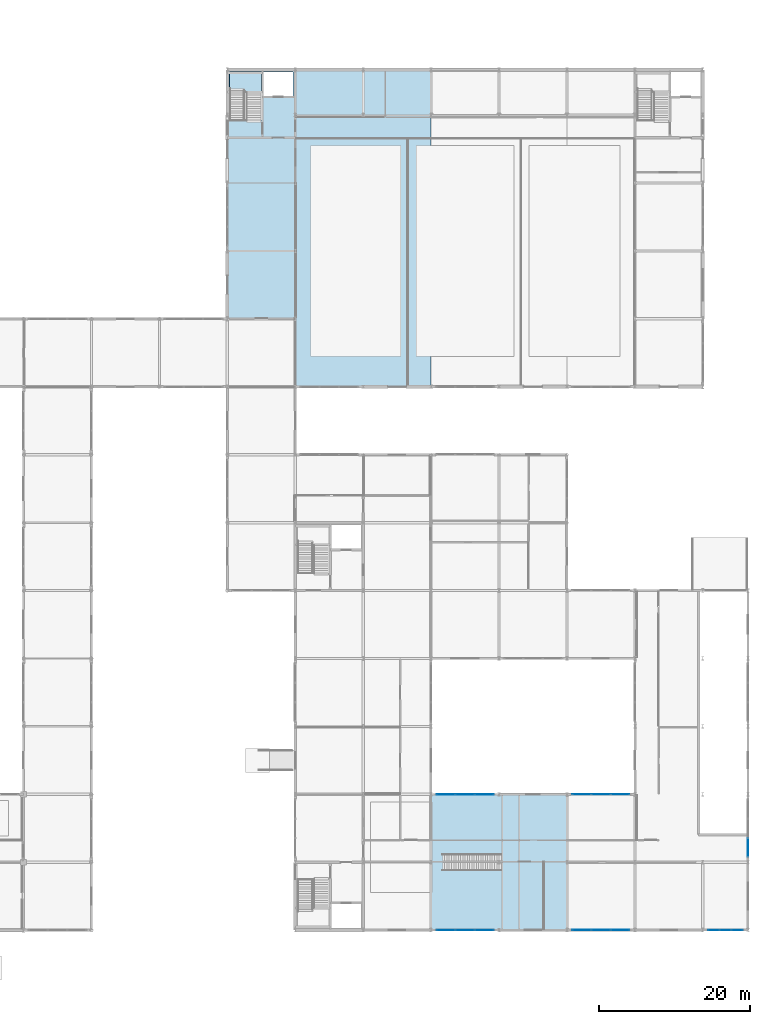
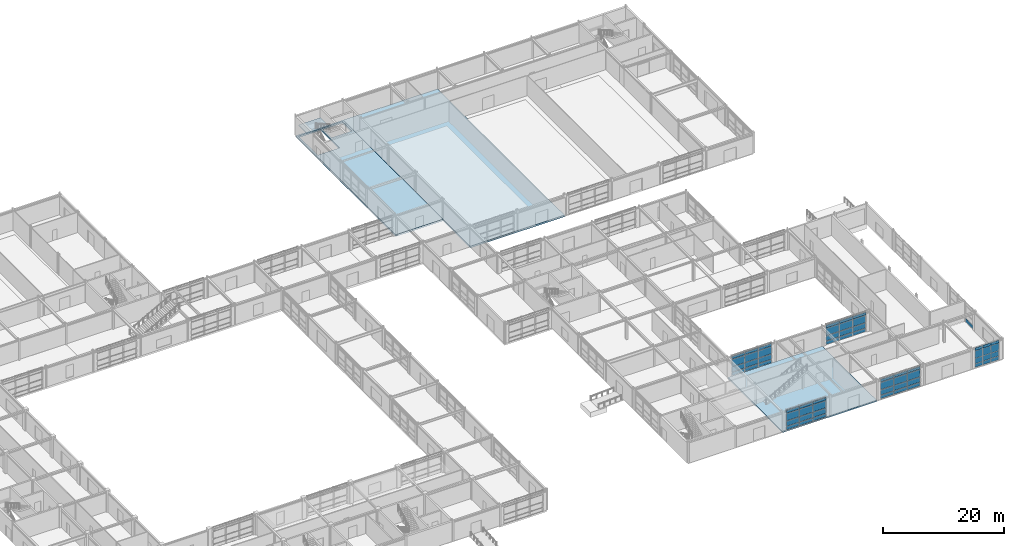
# One storey, part 51 of 72: 61 plates, 4 slabs, 6 elements without a shape of their own.
"""IFC4 building model written with IfcOpenShell, lengths in metres."""

from ifc_helpers import new_model, si_unit, direction, frame, origin, origin_2d, place, context, subcontext, project, spatial, polyline, rectangle, outline, extrude, material, layer, layer_set, type_object, element, aggregate, save


model = new_model("IFC4")

# Units and contexts
model_context = context("Model", 3, precision=1e-05, world=origin(), true_north=direction((0.0, 1.0)))
body_context = subcontext(model_context, "Body", "Model", "MODEL_VIEW")
ifc_project = project(units=[si_unit("LENGTHUNIT", "METRE"), si_unit("AREAUNIT", "SQUARE_METRE"), si_unit("VOLUMEUNIT", "CUBIC_METRE"), si_unit("PLANEANGLEUNIT", "RADIAN"), si_unit("MASSUNIT", "GRAM", prefix="KILO")], contexts=[model_context])

# Site, building, storey
site_placement = place(None, origin())
site = spatial("IfcSite", under=ifc_project, at=site_placement, CompositionType="ELEMENT")
building_placement = place(site_placement, origin())
building = spatial("IfcBuilding", under=site, at=building_placement, Name="Palais des Congres Ocreval", CompositionType="ELEMENT")
storey_placement = place(building_placement, origin())
storey = spatial("IfcBuildingStorey", under=building, at=storey_placement, Name="L00", CompositionType="ELEMENT", Elevation=0.0)

# Curtain wall, plates
ifc_material_1 = material(Name="Anodized bronze aluminium and low-E glass", Category="glass")
curtain_wall_type_1 = type_object("IfcCurtainWallType", Name="Unitised Curtain Wall 7900x4060", PredefinedType="USERDEFINED", material=ifc_material_1)
curtain_wall_1_placement = place(storey_placement, origin())
curtain_wall_1 = element("IfcCurtainWall", 1, at=curtain_wall_1_placement, inside=storey, type_object=curtain_wall_type_1, Name="Unitised Curtain Wall CW01 L00", ObjectType="UNITISED CURTAIN WALL", PredefinedType="USERDEFINED")
ifc_material_2 = material(Name="Acoustic triple glazing", Category="glass")
ifc_layer_1 = layer(ifc_material_2, 0.0439453125)
ifc_layer_set_1 = layer_set([ifc_layer_1], Name="Acoustic Laminated Glazing Panel 44 (Acoustic triple glazing)")
plate_type_1 = type_object("IfcPlateType", Name="Acoustic Laminated Glazing Panel 44", PredefinedType="CURTAIN_PANEL", material=ifc_layer_set_1)
plate_1_placement = place(storey_placement, frame((151.0478515625, 0.0, 0.06005859375), z_axis=(0.0, 0.0, 1.0), x_axis=(-1.0, 0.0, 0.0)))
plate_1 = element("IfcPlate", 2, at=plate_1_placement, type_object=plate_type_1, Name="Vision Glazing Panel VP02", PredefinedType="CURTAIN_PANEL", context=body_context, shape_type="SweptSolid", body=[
    extrude(rectangle(XDim=2.4541015625, YDim=0.0439453125, at=origin_2d()), origin(), (0.0, 0.0, 1.0), 0.68994140625),
])
plate_2_placement = place(storey_placement, frame((151.0478515625, 0.0, 0.81005859375), z_axis=(0.0, 0.0, 1.0), x_axis=(-1.0, 0.0, 0.0)))
plate_2 = element("IfcPlate", 3, at=plate_2_placement, type_object=plate_type_1, Name="Vision Glazing Panel VP02", PredefinedType="CURTAIN_PANEL", context=body_context, shape_type="SweptSolid", body=[
    extrude(rectangle(XDim=2.4541015625, YDim=0.0439453125, at=origin_2d()), origin(), (0.0, 0.0, 1.0), 1.03271484375),
])
plate_3_placement = place(storey_placement, frame((151.0478515625, 0.0, 1.90283203125), z_axis=(0.0, 0.0, 1.0), x_axis=(-1.0, 0.0, 0.0)))
plate_3 = element("IfcPlate", 4, at=plate_3_placement, type_object=plate_type_1, Name="Vision Glazing Panel VP02", PredefinedType="CURTAIN_PANEL", context=body_context, shape_type="SweptSolid", body=[
    extrude(rectangle(XDim=2.4541015625, YDim=0.0439453125, at=origin_2d()), origin(), (0.0, 0.0, 1.0), 1.47216796875),
])
plate_4_placement = place(storey_placement, frame((148.5, 0.0, 0.06005859375), z_axis=(0.0, 0.0, 1.0), x_axis=(-1.0, 0.0, 0.0)))
plate_4 = element("IfcPlate", 5, at=plate_4_placement, type_object=plate_type_1, Name="Vision Glazing Panel VP02", PredefinedType="CURTAIN_PANEL", context=body_context, shape_type="SweptSolid", body=[
    extrude(rectangle(XDim=2.49169921875, YDim=0.0439453125, at=origin_2d()), origin(), (0.0, 0.0, 1.0), 0.68994140625),
])
plate_5_placement = place(storey_placement, frame((148.5, 0.0, 0.81005859375), z_axis=(0.0, 0.0, 1.0), x_axis=(-1.0, 0.0, 0.0)))
plate_5 = element("IfcPlate", 6, at=plate_5_placement, type_object=plate_type_1, Name="Vision Glazing Panel VP02", PredefinedType="CURTAIN_PANEL", context=body_context, shape_type="SweptSolid", body=[
    extrude(rectangle(XDim=2.49169921875, YDim=0.0439453125, at=origin_2d()), origin(), (0.0, 0.0, 1.0), 1.03271484375),
])
plate_6_placement = place(storey_placement, frame((148.5, 0.0, 1.90283203125), z_axis=(0.0, 0.0, 1.0), x_axis=(-1.0, 0.0, 0.0)))
plate_6 = element("IfcPlate", 7, at=plate_6_placement, type_object=plate_type_1, Name="Vision Glazing Panel VP02", PredefinedType="CURTAIN_PANEL", context=body_context, shape_type="SweptSolid", body=[
    extrude(rectangle(XDim=2.49169921875, YDim=0.0439453125, at=origin_2d()), origin(), (0.0, 0.0, 1.0), 1.47216796875),
])
plate_7_placement = place(storey_placement, frame((145.9521484375, 0.0, 0.06005859375), z_axis=(0.0, 0.0, 1.0), x_axis=(-1.0, 0.0, 0.0)))
plate_7 = element("IfcPlate", 8, at=plate_7_placement, type_object=plate_type_1, Name="Vision Glazing Panel VP02", PredefinedType="CURTAIN_PANEL", context=body_context, shape_type="SweptSolid", body=[
    extrude(rectangle(XDim=2.4541015625, YDim=0.0439453125, at=origin_2d()), origin(), (0.0, 0.0, 1.0), 0.68994140625),
])
plate_8_placement = place(storey_placement, frame((145.9521484375, 0.0, 0.81005859375), z_axis=(0.0, 0.0, 1.0), x_axis=(-1.0, 0.0, 0.0)))
plate_8 = element("IfcPlate", 9, at=plate_8_placement, type_object=plate_type_1, Name="Vision Glazing Panel VP02", PredefinedType="CURTAIN_PANEL", context=body_context, shape_type="SweptSolid", body=[
    extrude(rectangle(XDim=2.4541015625, YDim=0.0439453125, at=origin_2d()), origin(), (0.0, 0.0, 1.0), 1.03271484375),
])
plate_9_placement = place(storey_placement, frame((145.9521484375, 0.0, 1.90283203125), z_axis=(0.0, 0.0, 1.0), x_axis=(-1.0, 0.0, 0.0)))
plate_9 = element("IfcPlate", 10, at=plate_9_placement, type_object=plate_type_1, Name="Vision Glazing Panel VP02", PredefinedType="CURTAIN_PANEL", context=body_context, shape_type="SweptSolid", body=[
    extrude(rectangle(XDim=2.4541015625, YDim=0.0439453125, at=origin_2d()), origin(), (0.0, 0.0, 1.0), 1.47216796875),
])

curtain_wall_2_placement = place(storey_placement, origin())
curtain_wall_2 = element("IfcCurtainWall", 11, at=curtain_wall_2_placement, inside=storey, type_object=curtain_wall_type_1, Name="Unitised Curtain Wall CW01 L00", ObjectType="UNITISED CURTAIN WALL", PredefinedType="USERDEFINED")
plate_10_placement = place(storey_placement, frame((127.9521484375, 18.0, 0.06005859375), z_axis=(0.0, 0.0, 1.0), x_axis=(1.0, 0.0, 0.0)))
plate_10 = element("IfcPlate", 12, at=plate_10_placement, type_object=plate_type_1, Name="Vision Glazing Panel VP02", PredefinedType="CURTAIN_PANEL", context=body_context, shape_type="SweptSolid", body=[
    extrude(rectangle(XDim=2.4541015625, YDim=0.0439453125, at=origin_2d()), origin(), (0.0, 0.0, 1.0), 0.68994140625),
])
plate_11_placement = place(storey_placement, frame((127.9521484375, 18.0, 0.81005859375), z_axis=(0.0, 0.0, 1.0), x_axis=(1.0, 0.0, 0.0)))
plate_11 = element("IfcPlate", 13, at=plate_11_placement, type_object=plate_type_1, Name="Vision Glazing Panel VP02", PredefinedType="CURTAIN_PANEL", context=body_context, shape_type="SweptSolid", body=[
    extrude(rectangle(XDim=2.4541015625, YDim=0.0439453125, at=origin_2d()), origin(), (0.0, 0.0, 1.0), 1.03271484375),
])
plate_12_placement = place(storey_placement, frame((127.9521484375, 18.0, 1.90283203125), z_axis=(0.0, 0.0, 1.0), x_axis=(1.0, 0.0, 0.0)))
plate_12 = element("IfcPlate", 14, at=plate_12_placement, type_object=plate_type_1, Name="Vision Glazing Panel VP02", PredefinedType="CURTAIN_PANEL", context=body_context, shape_type="SweptSolid", body=[
    extrude(rectangle(XDim=2.4541015625, YDim=0.0439453125, at=origin_2d()), origin(), (0.0, 0.0, 1.0), 1.47216796875),
])
plate_13_placement = place(storey_placement, frame((130.5, 18.0, 0.06005859375), z_axis=(0.0, 0.0, 1.0), x_axis=(1.0, 0.0, 0.0)))
plate_13 = element("IfcPlate", 15, at=plate_13_placement, type_object=plate_type_1, Name="Vision Glazing Panel VP02", PredefinedType="CURTAIN_PANEL", context=body_context, shape_type="SweptSolid", body=[
    extrude(rectangle(XDim=2.49169921875, YDim=0.0439453125, at=origin_2d()), origin(), (0.0, 0.0, 1.0), 0.68994140625),
])
plate_14_placement = place(storey_placement, frame((130.5, 18.0, 0.81005859375), z_axis=(0.0, 0.0, 1.0), x_axis=(1.0, 0.0, 0.0)))
plate_14 = element("IfcPlate", 16, at=plate_14_placement, type_object=plate_type_1, Name="Vision Glazing Panel VP02", PredefinedType="CURTAIN_PANEL", context=body_context, shape_type="SweptSolid", body=[
    extrude(rectangle(XDim=2.49169921875, YDim=0.0439453125, at=origin_2d()), origin(), (0.0, 0.0, 1.0), 1.03271484375),
])
plate_15_placement = place(storey_placement, frame((130.5, 18.0, 1.90283203125), z_axis=(0.0, 0.0, 1.0), x_axis=(1.0, 0.0, 0.0)))
plate_15 = element("IfcPlate", 17, at=plate_15_placement, type_object=plate_type_1, Name="Vision Glazing Panel VP02", PredefinedType="CURTAIN_PANEL", context=body_context, shape_type="SweptSolid", body=[
    extrude(rectangle(XDim=2.49169921875, YDim=0.0439453125, at=origin_2d()), origin(), (0.0, 0.0, 1.0), 1.47216796875),
])
plate_16_placement = place(storey_placement, frame((133.0478515625, 18.0, 0.06005859375), z_axis=(0.0, 0.0, 1.0), x_axis=(1.0, 0.0, 0.0)))
plate_16 = element("IfcPlate", 18, at=plate_16_placement, type_object=plate_type_1, Name="Vision Glazing Panel VP02", PredefinedType="CURTAIN_PANEL", context=body_context, shape_type="SweptSolid", body=[
    extrude(rectangle(XDim=2.4541015625, YDim=0.0439453125, at=origin_2d()), origin(), (0.0, 0.0, 1.0), 0.68994140625),
])
plate_17_placement = place(storey_placement, frame((133.0478515625, 18.0, 0.81005859375), z_axis=(0.0, 0.0, 1.0), x_axis=(1.0, 0.0, 0.0)))
plate_17 = element("IfcPlate", 19, at=plate_17_placement, type_object=plate_type_1, Name="Vision Glazing Panel VP02", PredefinedType="CURTAIN_PANEL", context=body_context, shape_type="SweptSolid", body=[
    extrude(rectangle(XDim=2.4541015625, YDim=0.0439453125, at=origin_2d()), origin(), (0.0, 0.0, 1.0), 1.03271484375),
])
plate_18_placement = place(storey_placement, frame((133.0478515625, 18.0, 1.90283203125), z_axis=(0.0, 0.0, 1.0), x_axis=(1.0, 0.0, 0.0)))
plate_18 = element("IfcPlate", 20, at=plate_18_placement, type_object=plate_type_1, Name="Vision Glazing Panel VP02", PredefinedType="CURTAIN_PANEL", context=body_context, shape_type="SweptSolid", body=[
    extrude(rectangle(XDim=2.4541015625, YDim=0.0439453125, at=origin_2d()), origin(), (0.0, 0.0, 1.0), 1.47216796875),
])

# Plate
ifc_material_3 = material(Name="Anodized bronze aluminium", Category="aluminium")
ifc_layer_2 = layer(ifc_material_3, 0.06005859375)
ifc_layer_set_2 = layer_set([ifc_layer_2], Name="Anodized Bronze Spandrel Cassette 60 (Anodized bronze aluminium)")
plate_type_2 = type_object("IfcPlateType", Name="Anodized Bronze Spandrel Cassette 60", PredefinedType="SHEET", material=ifc_layer_set_2)
plate_19_placement = place(storey_placement, frame((151.0478515625, 0.0, 3.43505859375), z_axis=(0.0, 0.0, 1.0), x_axis=(-1.0, 0.0, 0.0)))
plate_19 = element("IfcPlate", 21, at=plate_19_placement, type_object=plate_type_2, Name="Spandrel Sheet SPN1", PredefinedType="SHEET", context=body_context, shape_type="SweptSolid", body=[
    extrude(rectangle(XDim=2.4541015625, YDim=0.06005859375, at=origin_2d()), origin(), (0.0, 0.0, 1.0), 0.56005859375),
])

plate_20_placement = place(storey_placement, frame((148.5, 0.0, 3.43505859375), z_axis=(0.0, 0.0, 1.0), x_axis=(-1.0, 0.0, 0.0)))
plate_20 = element("IfcPlate", 22, at=plate_20_placement, type_object=plate_type_2, Name="Spandrel Sheet SPN1", PredefinedType="SHEET", context=body_context, shape_type="SweptSolid", body=[
    extrude(rectangle(XDim=2.49169921875, YDim=0.06005859375, at=origin_2d()), origin(), (0.0, 0.0, 1.0), 0.56005859375),
])

plate_21_placement = place(storey_placement, frame((145.9521484375, 0.0, 3.43505859375), z_axis=(0.0, 0.0, 1.0), x_axis=(-1.0, 0.0, 0.0)))
plate_21 = element("IfcPlate", 23, at=plate_21_placement, type_object=plate_type_2, Name="Spandrel Sheet SPN1", PredefinedType="SHEET", context=body_context, shape_type="SweptSolid", body=[
    extrude(rectangle(XDim=2.4541015625, YDim=0.06005859375, at=origin_2d()), origin(), (0.0, 0.0, 1.0), 0.56005859375),
])

aggregate(curtain_wall_1, [plate_1, plate_2, plate_3, plate_19, plate_4, plate_5, plate_6, plate_20, plate_7, plate_8, plate_9, plate_21])

plate_22_placement = place(storey_placement, frame((127.9521484375, 18.0, 3.43505859375), z_axis=(0.0, 0.0, 1.0), x_axis=(1.0, 0.0, 0.0)))
plate_22 = element("IfcPlate", 24, at=plate_22_placement, type_object=plate_type_2, Name="Spandrel Sheet SPN1", PredefinedType="SHEET", context=body_context, shape_type="SweptSolid", body=[
    extrude(rectangle(XDim=2.4541015625, YDim=0.06005859375, at=origin_2d()), origin(), (0.0, 0.0, 1.0), 0.56005859375),
])

plate_23_placement = place(storey_placement, frame((130.5, 18.0, 3.43505859375), z_axis=(0.0, 0.0, 1.0), x_axis=(1.0, 0.0, 0.0)))
plate_23 = element("IfcPlate", 25, at=plate_23_placement, type_object=plate_type_2, Name="Spandrel Sheet SPN1", PredefinedType="SHEET", context=body_context, shape_type="SweptSolid", body=[
    extrude(rectangle(XDim=2.49169921875, YDim=0.06005859375, at=origin_2d()), origin(), (0.0, 0.0, 1.0), 0.56005859375),
])

plate_24_placement = place(storey_placement, frame((133.0478515625, 18.0, 3.43505859375), z_axis=(0.0, 0.0, 1.0), x_axis=(1.0, 0.0, 0.0)))
plate_24 = element("IfcPlate", 26, at=plate_24_placement, type_object=plate_type_2, Name="Spandrel Sheet SPN1", PredefinedType="SHEET", context=body_context, shape_type="SweptSolid", body=[
    extrude(rectangle(XDim=2.4541015625, YDim=0.06005859375, at=origin_2d()), origin(), (0.0, 0.0, 1.0), 0.56005859375),
])

aggregate(curtain_wall_2, [plate_10, plate_11, plate_12, plate_22, plate_13, plate_14, plate_15, plate_23, plate_16, plate_17, plate_18, plate_24])

# Slabs
ifc_material_4 = material(Name="Concrete C40/50", Category="concrete")
ifc_layer_3 = layer(ifc_material_4, 0.340087890625)
ifc_layer_set_3 = layer_set([ifc_layer_3], Name="Ballroom Acoustic Floor Slab 340 Concrete C40/50")
slab_type_1 = type_object("IfcSlabType", Name="Ballroom Acoustic Floor Slab 340 Concrete C40/50", PredefinedType="FLOOR", material=ifc_layer_set_3)
slab_1_placement = place(storey_placement, frame((0.0, 0.0, -0.340087890625)))
element("IfcSlab", 27, at=slab_1_placement, inside=storey, type_object=slab_type_1, Name="Floor Slab SL05 L00 V2-1", PredefinedType="FLOOR", context=body_context, shape_type="SweptSolid", body=[
    extrude(outline(polyline([(99.0, 81.0), (99.0, 114.0), (108.0, 114.0), (108.0, 81.0), (99.0, 81.0)]), holes=[polyline([(103.5, 113.699951171875), (99.300048828125, 113.699951171875), (99.300048828125, 107.35009765625), (103.5, 107.35009765625), (103.5, 113.699951171875)]), polyline([(107.699951171875, 113.699951171875), (103.800048828125, 113.699951171875), (103.800048828125, 110.550048828125), (107.699951171875, 110.550048828125), (107.699951171875, 113.699951171875)])]), origin(), (0.0, 0.0, 1.0), 0.340087890625),
])
slab_2_placement = place(storey_placement, frame((0.0, 0.0, -0.340087890625)))
element("IfcSlab", 28, at=slab_2_placement, inside=storey, type_object=slab_type_1, Name="Floor Slab SL05 L00 V2-2", PredefinedType="FLOOR", context=body_context, shape_type="SweptSolid", body=[
    extrude(outline(polyline([(108.0, 72.0), (108.0, 81.0), (108.0, 114.0), (126.0, 114.0), (126.0, 72.0), (108.0, 72.0)])), origin(), (0.0, 0.0, 1.0), 0.340087890625),
])

# Curtain wall, plate
curtain_wall_3_placement = place(storey_placement, origin())
curtain_wall_3 = element("IfcCurtainWall", 29, at=curtain_wall_3_placement, inside=storey, type_object=curtain_wall_type_1, Name="Unitised Curtain Wall CW01 L00", ObjectType="UNITISED CURTAIN WALL", PredefinedType="USERDEFINED")
ifc_material_5 = material(Name="Low-E solar-control double glazing", Category="glass")
ifc_layer_4 = layer(ifc_material_5, 0.031982421875)
ifc_layer_set_4 = layer_set([ifc_layer_4], Name="Galleria Clear Vision Panel 32 (Low-E solar-control double glazing)")
plate_type_3 = type_object("IfcPlateType", Name="Galleria Clear Vision Panel 32", PredefinedType="CURTAIN_PANEL", material=ifc_layer_set_4)
plate_25_placement = place(storey_placement, frame((168.0, 10.9521484375, 0.06005859375), z_axis=(0.0, 0.0, 1.0), x_axis=(0.0, -1.0, 0.0)))
plate_25 = element("IfcPlate", 30, at=plate_25_placement, type_object=plate_type_3, Name="Vision Glazing Panel VP03", PredefinedType="CURTAIN_PANEL", context=body_context, shape_type="SweptSolid", body=[
    extrude(rectangle(XDim=2.4541015625, YDim=0.031982421875, at=origin_2d()), origin(), (0.0, 0.0, 1.0), 0.68994140625),
])
aggregate(curtain_wall_3, [plate_25])

# Curtain wall, plates
curtain_wall_4_placement = place(storey_placement, origin())
curtain_wall_4 = element("IfcCurtainWall", 31, at=curtain_wall_4_placement, inside=storey, type_object=curtain_wall_type_1, Name="Unitised Curtain Wall CW01 L00", ObjectType="UNITISED CURTAIN WALL", PredefinedType="USERDEFINED")
plate_26_placement = place(storey_placement, frame((133.0478515625, 0.0, 0.06005859375), z_axis=(0.0, 0.0, 1.0), x_axis=(-1.0, 0.0, 0.0)))
plate_26 = element("IfcPlate", 32, at=plate_26_placement, type_object=plate_type_3, Name="Vision Glazing Panel VP03", PredefinedType="CURTAIN_PANEL", context=body_context, shape_type="SweptSolid", body=[
    extrude(rectangle(XDim=2.4541015625, YDim=0.031982421875, at=origin_2d()), origin(), (0.0, 0.0, 1.0), 0.68994140625),
])
plate_27_placement = place(storey_placement, frame((133.0478515625, 0.0, 0.81005859375), z_axis=(0.0, 0.0, 1.0), x_axis=(-1.0, 0.0, 0.0)))
plate_27 = element("IfcPlate", 33, at=plate_27_placement, type_object=plate_type_3, Name="Vision Glazing Panel VP03", PredefinedType="CURTAIN_PANEL", context=body_context, shape_type="SweptSolid", body=[
    extrude(rectangle(XDim=2.4541015625, YDim=0.031982421875, at=origin_2d()), origin(), (0.0, 0.0, 1.0), 1.03271484375),
])
plate_28_placement = place(storey_placement, frame((133.0478515625, 0.0, 1.90283203125), z_axis=(0.0, 0.0, 1.0), x_axis=(-1.0, 0.0, 0.0)))
plate_28 = element("IfcPlate", 34, at=plate_28_placement, type_object=plate_type_3, Name="Vision Glazing Panel VP03", PredefinedType="CURTAIN_PANEL", context=body_context, shape_type="SweptSolid", body=[
    extrude(rectangle(XDim=2.4541015625, YDim=0.031982421875, at=origin_2d()), origin(), (0.0, 0.0, 1.0), 1.47216796875),
])
plate_29_placement = place(storey_placement, frame((130.5, 0.0, 0.06005859375), z_axis=(0.0, 0.0, 1.0), x_axis=(-1.0, 0.0, 0.0)))
plate_29 = element("IfcPlate", 35, at=plate_29_placement, type_object=plate_type_3, Name="Vision Glazing Panel VP03", PredefinedType="CURTAIN_PANEL", context=body_context, shape_type="SweptSolid", body=[
    extrude(rectangle(XDim=2.49169921875, YDim=0.031982421875, at=origin_2d()), origin(), (0.0, 0.0, 1.0), 0.68994140625),
])
plate_30_placement = place(storey_placement, frame((130.5, 0.0, 0.81005859375), z_axis=(0.0, 0.0, 1.0), x_axis=(-1.0, 0.0, 0.0)))
plate_30 = element("IfcPlate", 36, at=plate_30_placement, type_object=plate_type_3, Name="Vision Glazing Panel VP03", PredefinedType="CURTAIN_PANEL", context=body_context, shape_type="SweptSolid", body=[
    extrude(rectangle(XDim=2.49169921875, YDim=0.031982421875, at=origin_2d()), origin(), (0.0, 0.0, 1.0), 1.03271484375),
])
plate_31_placement = place(storey_placement, frame((130.5, 0.0, 1.90283203125), z_axis=(0.0, 0.0, 1.0), x_axis=(-1.0, 0.0, 0.0)))
plate_31 = element("IfcPlate", 37, at=plate_31_placement, type_object=plate_type_3, Name="Vision Glazing Panel VP03", PredefinedType="CURTAIN_PANEL", context=body_context, shape_type="SweptSolid", body=[
    extrude(rectangle(XDim=2.49169921875, YDim=0.031982421875, at=origin_2d()), origin(), (0.0, 0.0, 1.0), 1.47216796875),
])
plate_32_placement = place(storey_placement, frame((127.9521484375, 0.0, 0.06005859375), z_axis=(0.0, 0.0, 1.0), x_axis=(-1.0, 0.0, 0.0)))
plate_32 = element("IfcPlate", 38, at=plate_32_placement, type_object=plate_type_3, Name="Vision Glazing Panel VP03", PredefinedType="CURTAIN_PANEL", context=body_context, shape_type="SweptSolid", body=[
    extrude(rectangle(XDim=2.4541015625, YDim=0.031982421875, at=origin_2d()), origin(), (0.0, 0.0, 1.0), 0.68994140625),
])
plate_33_placement = place(storey_placement, frame((127.9521484375, 0.0, 0.81005859375), z_axis=(0.0, 0.0, 1.0), x_axis=(-1.0, 0.0, 0.0)))
plate_33 = element("IfcPlate", 39, at=plate_33_placement, type_object=plate_type_3, Name="Vision Glazing Panel VP03", PredefinedType="CURTAIN_PANEL", context=body_context, shape_type="SweptSolid", body=[
    extrude(rectangle(XDim=2.4541015625, YDim=0.031982421875, at=origin_2d()), origin(), (0.0, 0.0, 1.0), 1.03271484375),
])
plate_34_placement = place(storey_placement, frame((127.9521484375, 0.0, 1.90283203125), z_axis=(0.0, 0.0, 1.0), x_axis=(-1.0, 0.0, 0.0)))
plate_34 = element("IfcPlate", 40, at=plate_34_placement, type_object=plate_type_3, Name="Vision Glazing Panel VP03", PredefinedType="CURTAIN_PANEL", context=body_context, shape_type="SweptSolid", body=[
    extrude(rectangle(XDim=2.4541015625, YDim=0.031982421875, at=origin_2d()), origin(), (0.0, 0.0, 1.0), 1.47216796875),
])

curtain_wall_5_placement = place(storey_placement, origin())
curtain_wall_5 = element("IfcCurtainWall", 41, at=curtain_wall_5_placement, inside=storey, type_object=curtain_wall_type_1, Name="Unitised Curtain Wall CW01 L00", ObjectType="UNITISED CURTAIN WALL", PredefinedType="USERDEFINED")
plate_35_placement = place(storey_placement, frame((145.9521484375, 18.0, 0.06005859375), z_axis=(0.0, 0.0, 1.0), x_axis=(1.0, 0.0, 0.0)))
plate_35 = element("IfcPlate", 42, at=plate_35_placement, type_object=plate_type_3, Name="Vision Glazing Panel VP03", PredefinedType="CURTAIN_PANEL", context=body_context, shape_type="SweptSolid", body=[
    extrude(rectangle(XDim=2.4541015625, YDim=0.031982421875, at=origin_2d()), origin(), (0.0, 0.0, 1.0), 0.68994140625),
])
plate_36_placement = place(storey_placement, frame((145.9521484375, 18.0, 0.81005859375), z_axis=(0.0, 0.0, 1.0), x_axis=(1.0, 0.0, 0.0)))
plate_36 = element("IfcPlate", 43, at=plate_36_placement, type_object=plate_type_3, Name="Vision Glazing Panel VP03", PredefinedType="CURTAIN_PANEL", context=body_context, shape_type="SweptSolid", body=[
    extrude(rectangle(XDim=2.4541015625, YDim=0.031982421875, at=origin_2d()), origin(), (0.0, 0.0, 1.0), 1.03271484375),
])
plate_37_placement = place(storey_placement, frame((145.9521484375, 18.0, 1.90283203125), z_axis=(0.0, 0.0, 1.0), x_axis=(1.0, 0.0, 0.0)))
plate_37 = element("IfcPlate", 44, at=plate_37_placement, type_object=plate_type_3, Name="Vision Glazing Panel VP03", PredefinedType="CURTAIN_PANEL", context=body_context, shape_type="SweptSolid", body=[
    extrude(rectangle(XDim=2.4541015625, YDim=0.031982421875, at=origin_2d()), origin(), (0.0, 0.0, 1.0), 1.47216796875),
])
plate_38_placement = place(storey_placement, frame((148.5, 18.0, 0.06005859375), z_axis=(0.0, 0.0, 1.0), x_axis=(1.0, 0.0, 0.0)))
plate_38 = element("IfcPlate", 45, at=plate_38_placement, type_object=plate_type_3, Name="Vision Glazing Panel VP03", PredefinedType="CURTAIN_PANEL", context=body_context, shape_type="SweptSolid", body=[
    extrude(rectangle(XDim=2.49169921875, YDim=0.031982421875, at=origin_2d()), origin(), (0.0, 0.0, 1.0), 0.68994140625),
])
plate_39_placement = place(storey_placement, frame((148.5, 18.0, 0.81005859375), z_axis=(0.0, 0.0, 1.0), x_axis=(1.0, 0.0, 0.0)))
plate_39 = element("IfcPlate", 46, at=plate_39_placement, type_object=plate_type_3, Name="Vision Glazing Panel VP03", PredefinedType="CURTAIN_PANEL", context=body_context, shape_type="SweptSolid", body=[
    extrude(rectangle(XDim=2.49169921875, YDim=0.031982421875, at=origin_2d()), origin(), (0.0, 0.0, 1.0), 1.03271484375),
])
plate_40_placement = place(storey_placement, frame((148.5, 18.0, 1.90283203125), z_axis=(0.0, 0.0, 1.0), x_axis=(1.0, 0.0, 0.0)))
plate_40 = element("IfcPlate", 47, at=plate_40_placement, type_object=plate_type_3, Name="Vision Glazing Panel VP03", PredefinedType="CURTAIN_PANEL", context=body_context, shape_type="SweptSolid", body=[
    extrude(rectangle(XDim=2.49169921875, YDim=0.031982421875, at=origin_2d()), origin(), (0.0, 0.0, 1.0), 1.47216796875),
])
plate_41_placement = place(storey_placement, frame((151.0478515625, 18.0, 0.06005859375), z_axis=(0.0, 0.0, 1.0), x_axis=(1.0, 0.0, 0.0)))
plate_41 = element("IfcPlate", 48, at=plate_41_placement, type_object=plate_type_3, Name="Vision Glazing Panel VP03", PredefinedType="CURTAIN_PANEL", context=body_context, shape_type="SweptSolid", body=[
    extrude(rectangle(XDim=2.4541015625, YDim=0.031982421875, at=origin_2d()), origin(), (0.0, 0.0, 1.0), 0.68994140625),
])
plate_42_placement = place(storey_placement, frame((151.0478515625, 18.0, 0.81005859375), z_axis=(0.0, 0.0, 1.0), x_axis=(1.0, 0.0, 0.0)))
plate_42 = element("IfcPlate", 49, at=plate_42_placement, type_object=plate_type_3, Name="Vision Glazing Panel VP03", PredefinedType="CURTAIN_PANEL", context=body_context, shape_type="SweptSolid", body=[
    extrude(rectangle(XDim=2.4541015625, YDim=0.031982421875, at=origin_2d()), origin(), (0.0, 0.0, 1.0), 1.03271484375),
])
plate_43_placement = place(storey_placement, frame((151.0478515625, 18.0, 1.90283203125), z_axis=(0.0, 0.0, 1.0), x_axis=(1.0, 0.0, 0.0)))
plate_43 = element("IfcPlate", 50, at=plate_43_placement, type_object=plate_type_3, Name="Vision Glazing Panel VP03", PredefinedType="CURTAIN_PANEL", context=body_context, shape_type="SweptSolid", body=[
    extrude(rectangle(XDim=2.4541015625, YDim=0.031982421875, at=origin_2d()), origin(), (0.0, 0.0, 1.0), 1.47216796875),
])

# Slab
ifc_layer_5 = layer(ifc_material_4, 0.260009765625)
ifc_layer_set_5 = layer_set([ifc_layer_5], Name="Ground Podium Slab 260 Concrete C40/50")
slab_type_2 = type_object("IfcSlabType", Name="Ground Podium Slab 260 Concrete C40/50", PredefinedType="FLOOR", material=ifc_layer_set_5)
slab_3_placement = place(storey_placement, frame((0.0, 0.0, -0.260009765625)))
element("IfcSlab", 51, at=slab_3_placement, inside=storey, type_object=slab_type_2, Name="Floor Slab SL08 L00 V3-3", PredefinedType="FLOOR", context=body_context, shape_type="SweptSolid", body=[
    extrude(outline(polyline([(126.0, 0.0), (126.0, 18.0), (144.0, 18.0), (144.0, 0.0), (126.0, 0.0)])), origin(), (0.0, 0.0, 1.0), 0.260009765625),
])

# Curtain wall, plates
curtain_wall_type_2 = type_object("IfcCurtainWallType", Name="Unitised Curtain Wall 5800x3280", PredefinedType="USERDEFINED", material=ifc_material_1)
curtain_wall_6_placement = place(storey_placement, origin())
curtain_wall_6 = element("IfcCurtainWall", 52, at=curtain_wall_6_placement, inside=storey, type_object=curtain_wall_type_2, Name="Unitised Curtain Wall CW14 L00", ObjectType="UNITISED CURTAIN WALL", PredefinedType="USERDEFINED")
ifc_layer_6 = layer(ifc_material_5, 0.035888671875)
ifc_layer_set_6 = layer_set([ifc_layer_6], Name="Low-E Vision Glazing Panel 36 (Low-E solar-control double glazing)")
plate_type_4 = type_object("IfcPlateType", Name="Low-E Vision Glazing Panel 36", PredefinedType="CURTAIN_PANEL", material=ifc_layer_set_6)
plate_44_placement = place(storey_placement, frame((166.5478515625, 0.0, 0.06005859375), z_axis=(0.0, 0.0, 1.0), x_axis=(-1.0, 0.0, 0.0)))
plate_44 = element("IfcPlate", 53, at=plate_44_placement, type_object=plate_type_4, Name="Vision Glazing Panel VP01", PredefinedType="CURTAIN_PANEL", context=body_context, shape_type="SweptSolid", body=[
    extrude(rectangle(XDim=1.4541015625, YDim=0.035888671875, at=origin_2d()), origin(), (0.0, 0.0, 1.0), 0.68994140625),
])
plate_45_placement = place(storey_placement, frame((166.5478515625, 0.0, 0.81005859375), z_axis=(0.0, 0.0, 1.0), x_axis=(-1.0, 0.0, 0.0)))
plate_45 = element("IfcPlate", 54, at=plate_45_placement, type_object=plate_type_4, Name="Vision Glazing Panel VP01", PredefinedType="CURTAIN_PANEL", context=body_context, shape_type="SweptSolid", body=[
    extrude(rectangle(XDim=1.4541015625, YDim=0.035888671875, at=origin_2d()), origin(), (0.0, 0.0, 1.0), 1.03271484375),
])
plate_46_placement = place(storey_placement, frame((166.5478515625, 0.0, 1.90283203125), z_axis=(0.0, 0.0, 1.0), x_axis=(-1.0, 0.0, 0.0)))
plate_46 = element("IfcPlate", 55, at=plate_46_placement, type_object=plate_type_4, Name="Vision Glazing Panel VP01", PredefinedType="CURTAIN_PANEL", context=body_context, shape_type="SweptSolid", body=[
    extrude(rectangle(XDim=1.4541015625, YDim=0.035888671875, at=origin_2d()), origin(), (0.0, 0.0, 1.0), 1.47216796875),
])
plate_47_placement = place(storey_placement, frame((165.0, 0.0, 0.06005859375), z_axis=(0.0, 0.0, 1.0), x_axis=(-1.0, 0.0, 0.0)))
plate_47 = element("IfcPlate", 56, at=plate_47_placement, type_object=plate_type_4, Name="Vision Glazing Panel VP01", PredefinedType="CURTAIN_PANEL", context=body_context, shape_type="SweptSolid", body=[
    extrude(rectangle(XDim=1.49169921875, YDim=0.035888671875, at=origin_2d()), origin(), (0.0, 0.0, 1.0), 0.68994140625),
])
plate_48_placement = place(storey_placement, frame((165.0, 0.0, 0.81005859375), z_axis=(0.0, 0.0, 1.0), x_axis=(-1.0, 0.0, 0.0)))
plate_48 = element("IfcPlate", 57, at=plate_48_placement, type_object=plate_type_4, Name="Vision Glazing Panel VP01", PredefinedType="CURTAIN_PANEL", context=body_context, shape_type="SweptSolid", body=[
    extrude(rectangle(XDim=1.49169921875, YDim=0.035888671875, at=origin_2d()), origin(), (0.0, 0.0, 1.0), 1.03271484375),
])
plate_49_placement = place(storey_placement, frame((165.0, 0.0, 1.90283203125), z_axis=(0.0, 0.0, 1.0), x_axis=(-1.0, 0.0, 0.0)))
plate_49 = element("IfcPlate", 58, at=plate_49_placement, type_object=plate_type_4, Name="Vision Glazing Panel VP01", PredefinedType="CURTAIN_PANEL", context=body_context, shape_type="SweptSolid", body=[
    extrude(rectangle(XDim=1.49169921875, YDim=0.035888671875, at=origin_2d()), origin(), (0.0, 0.0, 1.0), 1.47216796875),
])
plate_50_placement = place(storey_placement, frame((163.4521484375, 0.0, 0.06005859375), z_axis=(0.0, 0.0, 1.0), x_axis=(-1.0, 0.0, 0.0)))
plate_50 = element("IfcPlate", 59, at=plate_50_placement, type_object=plate_type_4, Name="Vision Glazing Panel VP01", PredefinedType="CURTAIN_PANEL", context=body_context, shape_type="SweptSolid", body=[
    extrude(rectangle(XDim=1.4541015625, YDim=0.035888671875, at=origin_2d()), origin(), (0.0, 0.0, 1.0), 0.68994140625),
])
plate_51_placement = place(storey_placement, frame((163.4521484375, 0.0, 0.81005859375), z_axis=(0.0, 0.0, 1.0), x_axis=(-1.0, 0.0, 0.0)))
plate_51 = element("IfcPlate", 60, at=plate_51_placement, type_object=plate_type_4, Name="Vision Glazing Panel VP01", PredefinedType="CURTAIN_PANEL", context=body_context, shape_type="SweptSolid", body=[
    extrude(rectangle(XDim=1.4541015625, YDim=0.035888671875, at=origin_2d()), origin(), (0.0, 0.0, 1.0), 1.03271484375),
])
plate_52_placement = place(storey_placement, frame((163.4521484375, 0.0, 1.90283203125), z_axis=(0.0, 0.0, 1.0), x_axis=(-1.0, 0.0, 0.0)))
plate_52 = element("IfcPlate", 61, at=plate_52_placement, type_object=plate_type_4, Name="Vision Glazing Panel VP01", PredefinedType="CURTAIN_PANEL", context=body_context, shape_type="SweptSolid", body=[
    extrude(rectangle(XDim=1.4541015625, YDim=0.035888671875, at=origin_2d()), origin(), (0.0, 0.0, 1.0), 1.47216796875),
])

# Slab
ifc_layer_7 = layer(ifc_material_4, 0.199951171875)
ifc_layer_set_7 = layer_set([ifc_layer_7], Name="Stair and Ramp Landing Slab 200 Concrete C40/50")
slab_type_3 = type_object("IfcSlabType", Name="Stair and Ramp Landing Slab 200 Concrete C40/50", PredefinedType="LANDING", material=ifc_layer_set_7)
slab_4_placement = place(storey_placement, frame((0.0, 0.0, 2.0400390625)))
element("IfcSlab", 62, at=slab_4_placement, inside=storey, type_object=slab_type_3, Name="Stair Half-Landing ST07 L00", PredefinedType="LANDING", context=body_context, shape_type="SweptSolid", body=[
    extrude(outline(polyline([(99.300048828125, 110.949951171875), (103.5, 110.949951171875), (103.5, 113.699951171875), (99.300048828125, 113.699951171875), (99.300048828125, 110.949951171875)])), origin(), (0.0, 0.0, 1.0), 0.199951171875),
])

# Plate
ifc_material_6 = material(Name="Terracotta ceramic spandrel", Category="masonry")
ifc_layer_8 = layer(ifc_material_6, 0.080078125)
ifc_layer_set_8 = layer_set([ifc_layer_8], Name="Terracotta Insulated Spandrel Sheet 80 (Terracotta ceramic spandrel)")
plate_type_5 = type_object("IfcPlateType", Name="Terracotta Insulated Spandrel Sheet 80", PredefinedType="SHEET", material=ifc_layer_set_8)
plate_53_placement = place(storey_placement, frame((166.5478515625, 0.0, 3.43505859375), z_axis=(0.0, 0.0, 1.0), x_axis=(-1.0, 0.0, 0.0)))
plate_53 = element("IfcPlate", 63, at=plate_53_placement, type_object=plate_type_5, Name="Spandrel Sheet SPN2", PredefinedType="SHEET", context=body_context, shape_type="SweptSolid", body=[
    extrude(rectangle(XDim=1.4541015625, YDim=0.080078125, at=origin_2d()), origin(), (0.0, 0.0, 1.0), 0.56005859375),
])

plate_54_placement = place(storey_placement, frame((165.0, 0.0, 3.43505859375), z_axis=(0.0, 0.0, 1.0), x_axis=(-1.0, 0.0, 0.0)))
plate_54 = element("IfcPlate", 64, at=plate_54_placement, type_object=plate_type_5, Name="Spandrel Sheet SPN2", PredefinedType="SHEET", context=body_context, shape_type="SweptSolid", body=[
    extrude(rectangle(XDim=1.49169921875, YDim=0.080078125, at=origin_2d()), origin(), (0.0, 0.0, 1.0), 0.56005859375),
])

plate_55_placement = place(storey_placement, frame((163.4521484375, 0.0, 3.43505859375), z_axis=(0.0, 0.0, 1.0), x_axis=(-1.0, 0.0, 0.0)))
plate_55 = element("IfcPlate", 65, at=plate_55_placement, type_object=plate_type_5, Name="Spandrel Sheet SPN2", PredefinedType="SHEET", context=body_context, shape_type="SweptSolid", body=[
    extrude(rectangle(XDim=1.4541015625, YDim=0.080078125, at=origin_2d()), origin(), (0.0, 0.0, 1.0), 0.56005859375),
])

aggregate(curtain_wall_6, [plate_44, plate_45, plate_46, plate_53, plate_47, plate_48, plate_49, plate_54, plate_50, plate_51, plate_52, plate_55])

plate_56_placement = place(storey_placement, frame((133.0478515625, 0.0, 3.43505859375), z_axis=(0.0, 0.0, 1.0), x_axis=(-1.0, 0.0, 0.0)))
plate_56 = element("IfcPlate", 66, at=plate_56_placement, type_object=plate_type_5, Name="Spandrel Sheet SPN2", PredefinedType="SHEET", context=body_context, shape_type="SweptSolid", body=[
    extrude(rectangle(XDim=2.4541015625, YDim=0.080078125, at=origin_2d()), origin(), (0.0, 0.0, 1.0), 0.56005859375),
])

plate_57_placement = place(storey_placement, frame((130.5, 0.0, 3.43505859375), z_axis=(0.0, 0.0, 1.0), x_axis=(-1.0, 0.0, 0.0)))
plate_57 = element("IfcPlate", 67, at=plate_57_placement, type_object=plate_type_5, Name="Spandrel Sheet SPN2", PredefinedType="SHEET", context=body_context, shape_type="SweptSolid", body=[
    extrude(rectangle(XDim=2.49169921875, YDim=0.080078125, at=origin_2d()), origin(), (0.0, 0.0, 1.0), 0.56005859375),
])

plate_58_placement = place(storey_placement, frame((127.9521484375, 0.0, 3.43505859375), z_axis=(0.0, 0.0, 1.0), x_axis=(-1.0, 0.0, 0.0)))
plate_58 = element("IfcPlate", 68, at=plate_58_placement, type_object=plate_type_5, Name="Spandrel Sheet SPN2", PredefinedType="SHEET", context=body_context, shape_type="SweptSolid", body=[
    extrude(rectangle(XDim=2.4541015625, YDim=0.080078125, at=origin_2d()), origin(), (0.0, 0.0, 1.0), 0.56005859375),
])

aggregate(curtain_wall_4, [plate_26, plate_27, plate_28, plate_56, plate_29, plate_30, plate_31, plate_57, plate_32, plate_33, plate_34, plate_58])

plate_59_placement = place(storey_placement, frame((145.9521484375, 18.0, 3.43505859375), z_axis=(0.0, 0.0, 1.0), x_axis=(1.0, 0.0, 0.0)))
plate_59 = element("IfcPlate", 69, at=plate_59_placement, type_object=plate_type_5, Name="Spandrel Sheet SPN2", PredefinedType="SHEET", context=body_context, shape_type="SweptSolid", body=[
    extrude(rectangle(XDim=2.4541015625, YDim=0.080078125, at=origin_2d()), origin(), (0.0, 0.0, 1.0), 0.56005859375),
])

plate_60_placement = place(storey_placement, frame((148.5, 18.0, 3.43505859375), z_axis=(0.0, 0.0, 1.0), x_axis=(1.0, 0.0, 0.0)))
plate_60 = element("IfcPlate", 70, at=plate_60_placement, type_object=plate_type_5, Name="Spandrel Sheet SPN2", PredefinedType="SHEET", context=body_context, shape_type="SweptSolid", body=[
    extrude(rectangle(XDim=2.49169921875, YDim=0.080078125, at=origin_2d()), origin(), (0.0, 0.0, 1.0), 0.56005859375),
])

plate_61_placement = place(storey_placement, frame((151.0478515625, 18.0, 3.43505859375), z_axis=(0.0, 0.0, 1.0), x_axis=(1.0, 0.0, 0.0)))
plate_61 = element("IfcPlate", 71, at=plate_61_placement, type_object=plate_type_5, Name="Spandrel Sheet SPN2", PredefinedType="SHEET", context=body_context, shape_type="SweptSolid", body=[
    extrude(rectangle(XDim=2.4541015625, YDim=0.080078125, at=origin_2d()), origin(), (0.0, 0.0, 1.0), 0.56005859375),
])

aggregate(curtain_wall_5, [plate_35, plate_36, plate_37, plate_59, plate_38, plate_39, plate_40, plate_60, plate_41, plate_42, plate_43, plate_61])

save(model, "model.ifc")
